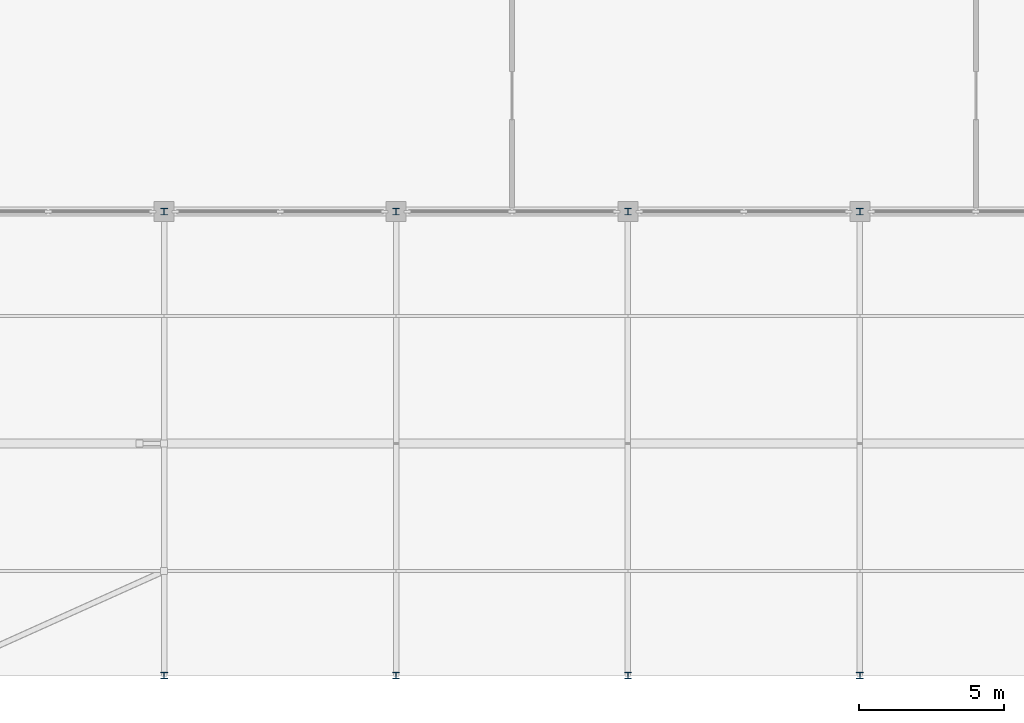
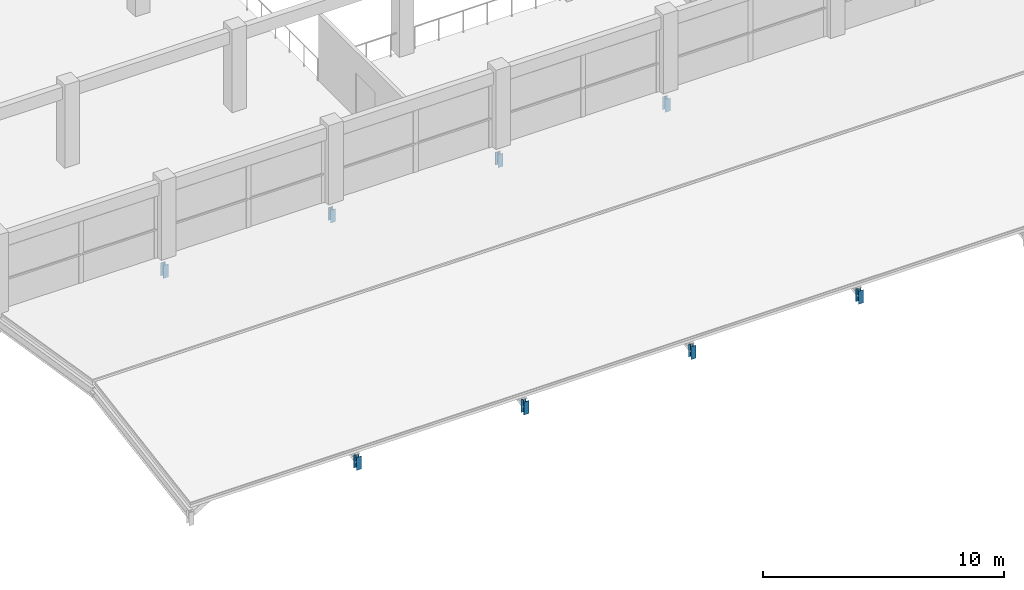
# One storey, part 30 of 67: 8 members.
"""IFC4 building model written with IfcOpenShell, lengths in metres."""

from ifc_helpers import new_model, si_unit, direction, frame, origin, origin_2d, place, context, subcontext, project, spatial, i_section, extrude, material, material_profile, profile_set, type_object, element, save


model = new_model("IFC4")

# Units and contexts
model_context = context("Model", 3, precision=1e-05, world=origin(), true_north=direction((0.0, 1.0)))
body_context = subcontext(model_context, "Body", "Model", "MODEL_VIEW")
ifc_project = project(units=[si_unit("LENGTHUNIT", "METRE"), si_unit("AREAUNIT", "SQUARE_METRE"), si_unit("VOLUMEUNIT", "CUBIC_METRE"), si_unit("PLANEANGLEUNIT", "RADIAN"), si_unit("MASSUNIT", "GRAM", prefix="KILO")], contexts=[model_context])

# Site, building, storey
site_placement = place(None, origin())
site = spatial("IfcSite", under=ifc_project, at=site_placement, CompositionType="ELEMENT")
building_placement = place(site_placement, origin())
building = spatial("IfcBuilding", under=site, at=building_placement, Name="Kenh Van Central Station", CompositionType="ELEMENT")
storey_placement = place(building_placement, frame((0.0, 0.0, 10.800048828125)))
storey = spatial("IfcBuildingStorey", under=building, at=storey_placement, Name="L02", CompositionType="ELEMENT", Elevation=10.800048828125)

# Members
ifc_material = material(Name="Steel S355", Category="steel")
ifc_material_profile = material_profile(ifc_material, i_section(OverallWidth=0.239990234375, OverallDepth=0.22998046875, WebThickness=0.007568359375, FlangeThickness=0.011962890625, FilletRadius=0.02099609375, at=origin_2d()), Name="HEA 240")
ifc_profile_set = profile_set([ifc_material_profile], Name="Steel S355")
member_type = type_object("IfcMemberType", Name="MEM-ROOF-POST240", PredefinedType="POST", material=ifc_profile_set)
for number, where, z_axis, x_axis, name in (
    (1, (64.0, 0.0, -0.949951171875), (0.0, 0.0, 1.0), (1.0, 0.0, 0.0), "L02 roof eave post 009"),
    (2, (64.0, 16.0, -0.949951171875), (0.0, 0.0, 1.0), (1.0, 0.0, 0.0), "L02 roof eave post 009"),
    (3, (72.0, 0.0, -0.949951171875), (0.0, 0.0, 1.0), (1.0, 0.0, 0.0), "L02 roof eave post 011"),
    (4, (72.0, 16.0, -0.949951171875), (0.0, 0.0, 1.0), (1.0, 0.0, 0.0), "L02 roof eave post 011"),
    (5, (80.0, 0.0, -0.949951171875), (0.0, 0.0, 1.0), (1.0, 0.0, 0.0), "L02 roof eave post 013"),
    (6, (80.0, 16.0, -0.949951171875), (0.0, 0.0, 1.0), (1.0, 0.0, 0.0), "L02 roof eave post 013"),
    (7, (88.0, 0.0, -0.949951171875), (0.0, 0.0, 1.0), (1.0, 0.0, 0.0), "L02 roof eave post 015"),
    (8, (88.0, 16.0, -0.949951171875), (0.0, 0.0, 1.0), (1.0, 0.0, 0.0), "L02 roof eave post 015"),
):
    element("IfcMember", number, at=place(storey_placement, frame(where, z_axis=z_axis, x_axis=x_axis)), inside=storey, type_object=member_type, Name=name, PredefinedType="POST", context=body_context, shape_type="SweptSolid", body=[
        extrude(i_section(OverallWidth=0.239990234375, OverallDepth=0.22998046875, WebThickness=0.007568359375, FlangeThickness=0.011962890625, FilletRadius=0.02099609375, at=origin_2d()), origin(), (0.0, 0.0, 1.0), 0.65478515625),
    ])

save(model, "model.ifc")
